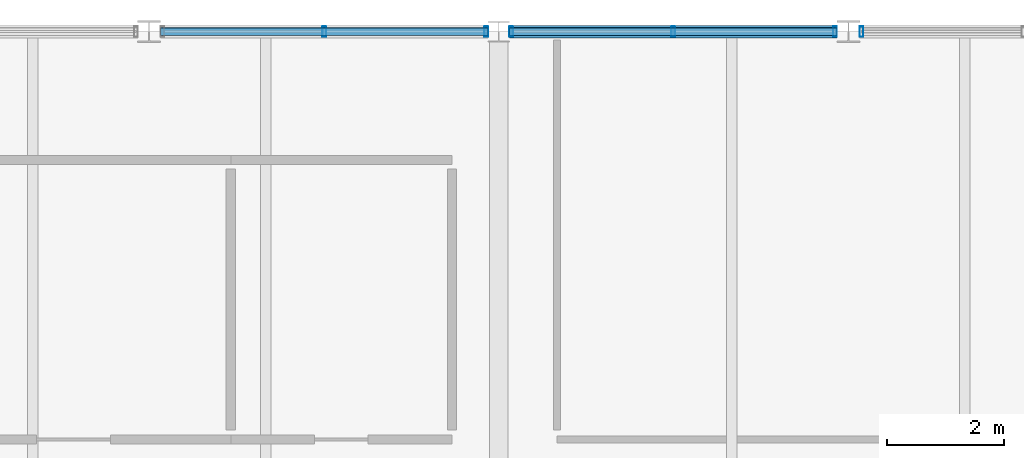
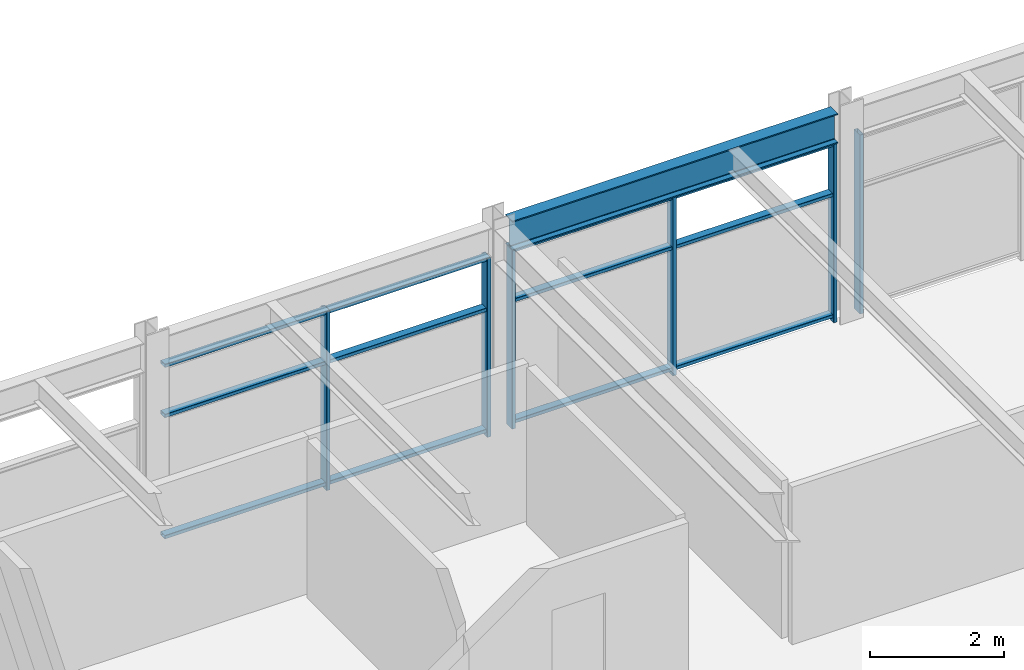
# One storey, part 20 of 40: 12 members, 1 beam, 3 elements without a shape of their own.
"""IFC4 building model written with IfcOpenShell, lengths in metres."""

from ifc_helpers import new_model, si_unit, direction, frame, origin, origin_2d, place, context, subcontext, project, spatial, hollow_rectangle, i_section, extrude, material, material_profile, profile_set, type_object, element, aggregate, save


model = new_model("IFC4")

# Units and contexts
model_context = context("Model", 3, precision=1e-05, world=origin(), true_north=direction((0.0, 1.0)))
body_context = subcontext(model_context, "Body", "Model", "MODEL_VIEW")
ifc_project = project(units=[si_unit("LENGTHUNIT", "METRE"), si_unit("AREAUNIT", "SQUARE_METRE"), si_unit("VOLUMEUNIT", "CUBIC_METRE"), si_unit("PLANEANGLEUNIT", "RADIAN"), si_unit("MASSUNIT", "GRAM", prefix="KILO")], contexts=[model_context])

# Site, building, storey
site_placement = place(None, origin())
site = spatial("IfcSite", under=ifc_project, at=site_placement, CompositionType="ELEMENT")
building_placement = place(site_placement, origin())
building = spatial("IfcBuilding", under=site, at=building_placement, Name="Girod Span Mobility Hub", CompositionType="ELEMENT")
storey_placement = place(building_placement, frame((0.0, 0.0, 53.60009765625)))
storey = spatial("IfcBuildingStorey", under=building, at=storey_placement, Name="L13", CompositionType="ELEMENT", Elevation=53.60009765625)

# Beam
ifc_material_1 = material(Name="Steel A992 Grade 50", Category="steel")
ifc_material_profile_1 = material_profile(ifc_material_1, i_section(OverallWidth=0.2119140625, OverallDepth=0.5439453125, WebThickness=0.01318359375, FlangeThickness=0.021240234375, FilletRadius=0.014892578125, at=origin_2d()), Name="W21X83")
ifc_profile_set_1 = profile_set([ifc_material_profile_1], Name="Steel A992 Grade 50")
beam_type = type_object("IfcBeamType", Name="BM-STL-W21X83", PredefinedType="SPANDREL", material=ifc_profile_set_1)
beam_placement = place(storey_placement, frame((72.181396484375, 69.0, 3.54296875), z_axis=(1.0, 0.0, 0.0), x_axis=(0.0, 1.0, 0.0)))
element("IfcBeam", 1, at=beam_placement, inside=storey, type_object=beam_type, Name="Spandrel Beam 7-8/F-W L13", PredefinedType="SPANDREL", context=body_context, shape_type="SweptSolid", body=[
    extrude(i_section(OverallWidth=0.2119140625, OverallDepth=0.5439453125, WebThickness=0.01318359375, FlangeThickness=0.021240234375, FilletRadius=0.014892578125, at=origin_2d()), origin(), (0.0, 0.0, 1.0), 5.62451171875),
])

# Curtain wall, members
ifc_material_2 = material(Name="Thermally Broken Anodised Aluminium", Category="aluminium")
curtain_wall_type = type_object("IfcCurtainWallType", Name="CW-562X327", PredefinedType="USERDEFINED", material=ifc_material_2)
curtain_wall_1_placement = place(storey_placement, origin())
curtain_wall_1 = element("IfcCurtainWall", 2, at=curtain_wall_1_placement, inside=storey, type_object=curtain_wall_type, Name="Unitised Curtain Wall CW-L13-N06E L13", ObjectType="UNITISED CURTAIN WALL", PredefinedType="USERDEFINED")
ifc_material_3 = material(Name="Thermally Broken Anodised Aluminium", Category="aluminium")
ifc_material_profile_2 = material_profile(ifc_material_3, hollow_rectangle(XDim=0.179931640625, YDim=0.06494140625, WallThickness=0.00390625, InnerFilletRadius=0.00390625, OuterFilletRadius=0.008056640625, at=origin_2d()), Name="CW-ML-65X180")
ifc_profile_set_2 = profile_set([ifc_material_profile_2], Name="Thermally Broken Anodised Aluminium")
member_type_1 = type_object("IfcMemberType", Name="CWM-ML-2", PredefinedType="MULLION", material=ifc_profile_set_2)
member_1_placement = place(storey_placement, frame((69.006103515625, 69.0, 0.0), z_axis=(0.0, 0.0, 1.0), x_axis=(0.0, 1.0, 0.0)))
member_1 = element("IfcMember", 3, at=member_1_placement, type_object=member_type_1, Name="Curtain Wall Mullion CW-L13-N06E-M1", PredefinedType="MULLION", context=body_context, shape_type="SweptSolid", body=[
    extrude(hollow_rectangle(XDim=0.179931640625, YDim=0.06494140625, WallThickness=0.00390625, InnerFilletRadius=0.00390625, OuterFilletRadius=0.008056640625, at=origin_2d()), origin(), (0.0, 0.0, 1.0), 3.27099609375),
])
member_2_placement = place(storey_placement, frame((71.785400390625, 69.0, 0.0), z_axis=(0.0, 0.0, 1.0), x_axis=(0.0, 1.0, 0.0)))
member_2 = element("IfcMember", 4, at=member_2_placement, type_object=member_type_1, Name="Curtain Wall Mullion CW-L13-N06E-M2", PredefinedType="MULLION", context=body_context, shape_type="SweptSolid", body=[
    extrude(hollow_rectangle(XDim=0.179931640625, YDim=0.06494140625, WallThickness=0.00390625, InnerFilletRadius=0.00390625, OuterFilletRadius=0.008056640625, at=origin_2d()), origin(), (0.0, 0.0, 1.0), 3.27099609375),
])

curtain_wall_2_placement = place(storey_placement, origin())
curtain_wall_2 = element("IfcCurtainWall", 5, at=curtain_wall_2_placement, inside=storey, type_object=curtain_wall_type, Name="Unitised Curtain Wall CW-L13-N07W L13", ObjectType="UNITISED CURTAIN WALL", PredefinedType="USERDEFINED")
member_3_placement = place(storey_placement, frame((72.214599609375, 69.0, 0.0), z_axis=(0.0, 0.0, 1.0), x_axis=(0.0, 1.0, 0.0)))
member_3 = element("IfcMember", 6, at=member_3_placement, type_object=member_type_1, Name="Curtain Wall Mullion CW-L13-N07W-M0", PredefinedType="MULLION", context=body_context, shape_type="SweptSolid", body=[
    extrude(hollow_rectangle(XDim=0.179931640625, YDim=0.06494140625, WallThickness=0.00390625, InnerFilletRadius=0.00390625, OuterFilletRadius=0.008056640625, at=origin_2d()), origin(), (0.0, 0.0, 1.0), 3.27099609375),
])
member_4_placement = place(storey_placement, frame((74.993896484375, 69.0, 0.0), z_axis=(0.0, 0.0, 1.0), x_axis=(0.0, 1.0, 0.0)))
member_4 = element("IfcMember", 7, at=member_4_placement, type_object=member_type_1, Name="Curtain Wall Mullion CW-L13-N07W-M1", PredefinedType="MULLION", context=body_context, shape_type="SweptSolid", body=[
    extrude(hollow_rectangle(XDim=0.179931640625, YDim=0.06494140625, WallThickness=0.00390625, InnerFilletRadius=0.00390625, OuterFilletRadius=0.008056640625, at=origin_2d()), origin(), (0.0, 0.0, 1.0), 3.27099609375),
])
member_5_placement = place(storey_placement, frame((77.77294921875, 69.0, 0.0), z_axis=(0.0, 0.0, 1.0), x_axis=(0.0, 1.0, 0.0)))
member_5 = element("IfcMember", 8, at=member_5_placement, type_object=member_type_1, Name="Curtain Wall Mullion CW-L13-N07W-M2", PredefinedType="MULLION", context=body_context, shape_type="SweptSolid", body=[
    extrude(hollow_rectangle(XDim=0.179931640625, YDim=0.06494140625, WallThickness=0.00390625, InnerFilletRadius=0.00390625, OuterFilletRadius=0.008056640625, at=origin_2d()), origin(), (0.0, 0.0, 1.0), 3.27099609375),
])

# Curtain wall, member
curtain_wall_3_placement = place(storey_placement, origin())
curtain_wall_3 = element("IfcCurtainWall", 9, at=curtain_wall_3_placement, inside=storey, type_object=curtain_wall_type, Name="Unitised Curtain Wall CW-L13-N07E L13", ObjectType="UNITISED CURTAIN WALL", PredefinedType="USERDEFINED")
member_6_placement = place(storey_placement, frame((78.22705078125, 69.0, 0.0), z_axis=(0.0, 0.0, 1.0), x_axis=(0.0, 1.0, 0.0)))
member_6 = element("IfcMember", 10, at=member_6_placement, type_object=member_type_1, Name="Curtain Wall Mullion CW-L13-N07E-M0", PredefinedType="MULLION", context=body_context, shape_type="SweptSolid", body=[
    extrude(hollow_rectangle(XDim=0.179931640625, YDim=0.06494140625, WallThickness=0.00390625, InnerFilletRadius=0.00390625, OuterFilletRadius=0.008056640625, at=origin_2d()), origin(), (0.0, 0.0, 1.0), 3.27099609375),
])
aggregate(curtain_wall_3, [member_6])

# Member
ifc_material_4 = material(Name="Thermally Broken Anodised Aluminium", Category="aluminium")
ifc_material_profile_3 = material_profile(ifc_material_4, hollow_rectangle(XDim=0.135009765625, YDim=0.06494140625, WallThickness=0.00390625, InnerFilletRadius=0.00390625, OuterFilletRadius=0.008056640625, at=origin_2d()), Name="CW-TR-65X135")
ifc_profile_set_3 = profile_set([ifc_material_profile_3], Name="Thermally Broken Anodised Aluminium")
member_type_2 = type_object("IfcMemberType", Name="CWM-TR-2", PredefinedType="USERDEFINED", material=ifc_profile_set_3)
member_7_placement = place(storey_placement, frame((66.195068359375, 69.0, 0.107421875), z_axis=(1.0, 0.0, 0.0), x_axis=(0.0, 1.0, 0.0)))
member_7 = element("IfcMember", 11, at=member_7_placement, type_object=member_type_2, Name="Curtain Wall Transom CW-L13-N06E-T1", ObjectType="TRANSOM", PredefinedType="USERDEFINED", context=body_context, shape_type="SweptSolid", body=[
    extrude(hollow_rectangle(XDim=0.135009765625, YDim=0.06494140625, WallThickness=0.00390625, InnerFilletRadius=0.00390625, OuterFilletRadius=0.008056640625, at=origin_2d()), origin(), (0.0, 0.0, 1.0), 5.622314453125),
])

member_8_placement = place(storey_placement, frame((66.195068359375, 69.0, 2.322509765625), z_axis=(1.0, 0.0, 0.0), x_axis=(0.0, 1.0, 0.0)))
member_8 = element("IfcMember", 12, at=member_8_placement, type_object=member_type_2, Name="Curtain Wall Transom CW-L13-N06E-T2", ObjectType="TRANSOM", PredefinedType="USERDEFINED", context=body_context, shape_type="SweptSolid", body=[
    extrude(hollow_rectangle(XDim=0.135009765625, YDim=0.06494140625, WallThickness=0.00390625, InnerFilletRadius=0.00390625, OuterFilletRadius=0.008056640625, at=origin_2d()), origin(), (0.0, 0.0, 1.0), 5.622314453125),
])

member_9_placement = place(storey_placement, frame((66.195068359375, 69.0, 3.23828125), z_axis=(1.0, 0.0, 0.0), x_axis=(0.0, 1.0, 0.0)))
member_9 = element("IfcMember", 13, at=member_9_placement, type_object=member_type_2, Name="Curtain Wall Transom CW-L13-N06E-T3", ObjectType="TRANSOM", PredefinedType="USERDEFINED", context=body_context, shape_type="SweptSolid", body=[
    extrude(hollow_rectangle(XDim=0.135009765625, YDim=0.06494140625, WallThickness=0.00390625, InnerFilletRadius=0.00390625, OuterFilletRadius=0.008056640625, at=origin_2d()), origin(), (0.0, 0.0, 1.0), 5.622314453125),
])

aggregate(curtain_wall_1, [member_1, member_2, member_7, member_8, member_9])

member_10_placement = place(storey_placement, frame((72.1826171875, 69.0, 0.107421875), z_axis=(1.0, 0.0, 0.0), x_axis=(0.0, 1.0, 0.0)))
member_10 = element("IfcMember", 14, at=member_10_placement, type_object=member_type_2, Name="Curtain Wall Transom CW-L13-N07W-T1", ObjectType="TRANSOM", PredefinedType="USERDEFINED", context=body_context, shape_type="SweptSolid", body=[
    extrude(hollow_rectangle(XDim=0.135009765625, YDim=0.06494140625, WallThickness=0.00390625, InnerFilletRadius=0.00390625, OuterFilletRadius=0.008056640625, at=origin_2d()), origin(), (0.0, 0.0, 1.0), 5.622314453125),
])

member_11_placement = place(storey_placement, frame((72.1826171875, 69.0, 2.322509765625), z_axis=(1.0, 0.0, 0.0), x_axis=(0.0, 1.0, 0.0)))
member_11 = element("IfcMember", 15, at=member_11_placement, type_object=member_type_2, Name="Curtain Wall Transom CW-L13-N07W-T2", ObjectType="TRANSOM", PredefinedType="USERDEFINED", context=body_context, shape_type="SweptSolid", body=[
    extrude(hollow_rectangle(XDim=0.135009765625, YDim=0.06494140625, WallThickness=0.00390625, InnerFilletRadius=0.00390625, OuterFilletRadius=0.008056640625, at=origin_2d()), origin(), (0.0, 0.0, 1.0), 5.622314453125),
])

member_12_placement = place(storey_placement, frame((72.1826171875, 69.0, 3.23828125), z_axis=(1.0, 0.0, 0.0), x_axis=(0.0, 1.0, 0.0)))
member_12 = element("IfcMember", 16, at=member_12_placement, type_object=member_type_2, Name="Curtain Wall Transom CW-L13-N07W-T3", ObjectType="TRANSOM", PredefinedType="USERDEFINED", context=body_context, shape_type="SweptSolid", body=[
    extrude(hollow_rectangle(XDim=0.135009765625, YDim=0.06494140625, WallThickness=0.00390625, InnerFilletRadius=0.00390625, OuterFilletRadius=0.008056640625, at=origin_2d()), origin(), (0.0, 0.0, 1.0), 5.622314453125),
])

aggregate(curtain_wall_2, [member_3, member_4, member_5, member_10, member_11, member_12])

save(model, "model.ifc")
